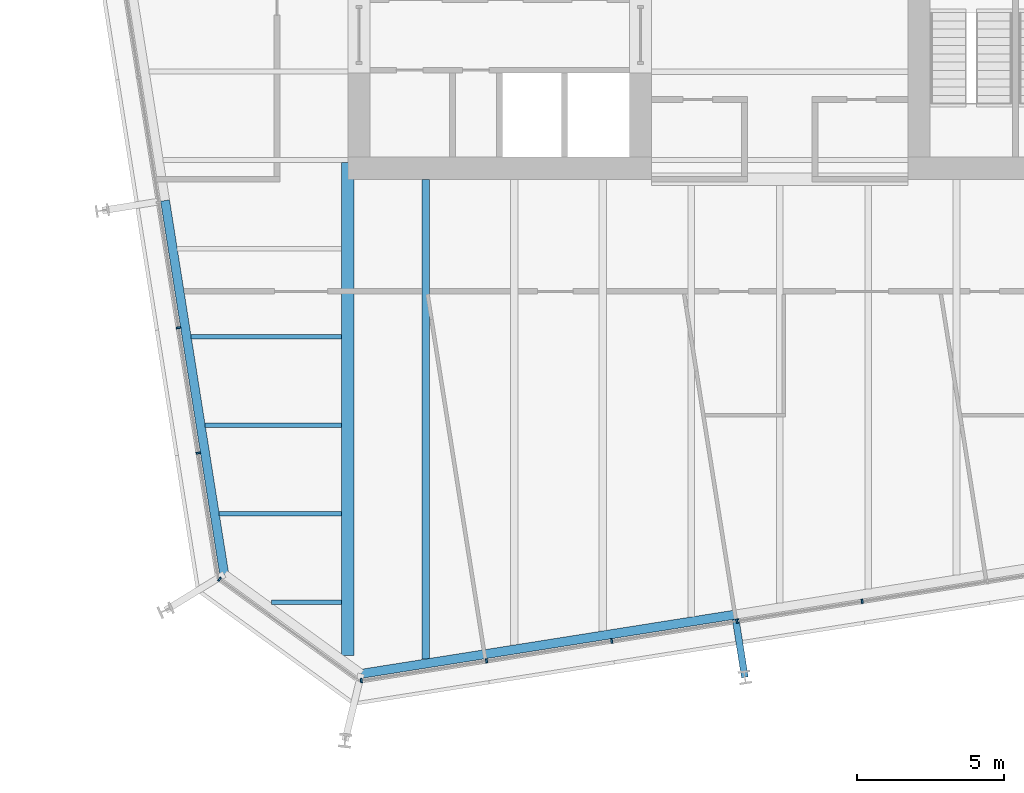
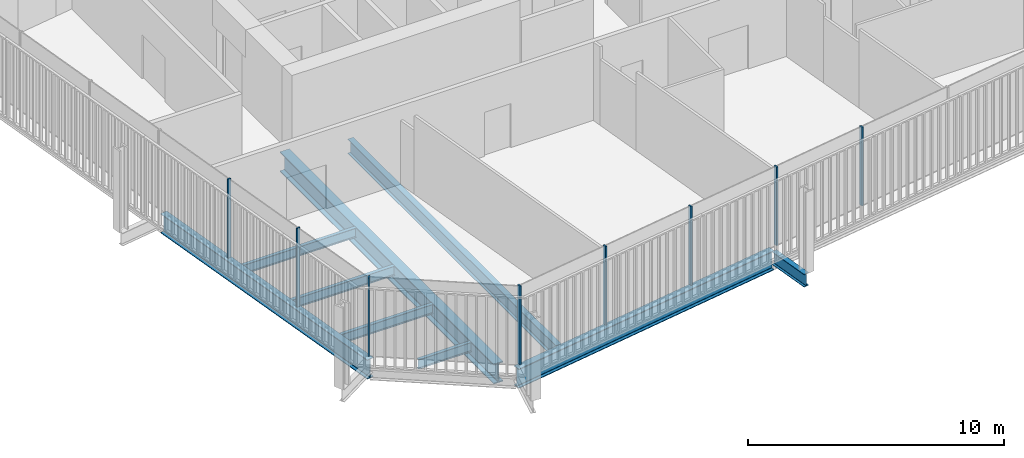
# One storey, part 2 of 21: 9 beams, 8 members, 3 elements without a shape of their own.
"""IFC4 building model written with IfcOpenShell, lengths in metres."""

from ifc_helpers import new_model, si_unit, direction, frame, origin, origin_2d, place, context, subcontext, project, spatial, rectangle, i_section, extrude, material, layer, layer_set, material_profile, profile_set, type_object, element, aggregate, save


model = new_model("IFC4")

# Units and contexts
model_context = context("Model", 3, precision=1e-05, world=origin(), true_north=direction((0.0, 1.0)))
body_context = subcontext(model_context, "Body", "Model", "MODEL_VIEW")
ifc_project = project(units=[si_unit("LENGTHUNIT", "METRE"), si_unit("AREAUNIT", "SQUARE_METRE"), si_unit("VOLUMEUNIT", "CUBIC_METRE"), si_unit("PLANEANGLEUNIT", "RADIAN"), si_unit("MASSUNIT", "GRAM", prefix="KILO")], contexts=[model_context])

# Site, building, storey
site_placement = place(None, origin())
site = spatial("IfcSite", under=ifc_project, at=site_placement, CompositionType="ELEMENT")
building_placement = place(site_placement, origin())
building = spatial("IfcBuilding", under=site, at=building_placement, Name="Millrace Tower", CompositionType="ELEMENT")
storey_placement = place(building_placement, frame((0.0, 0.0, 141.199951171875)))
storey = spatial("IfcBuildingStorey", under=building, at=storey_placement, Name="L31", CompositionType="ELEMENT", Elevation=141.199951171875)

# Curtain wall, member
ifc_material_1 = material(Name="Aluminium and glass", Category="aluminium")
ifc_layer = layer(ifc_material_1, 0.14990234375)
ifc_layer_set = layer_set([ifc_layer], Name="Aluminium and glass")
curtain_wall_type = type_object("IfcCurtainWallType", Name="CW-1 office vision curtain wall", PredefinedType="NOTDEFINED", material=ifc_layer_set)
placement = place(storey_placement, origin())
curtain_wall_1 = element("IfcCurtainWall", 1, at=placement, inside=storey, type_object=curtain_wall_type, Name="Curtain wall C-F01 L31", PredefinedType="NOTDEFINED")
ifc_material_2 = material(Name="Aluminium", Category="aluminium")
ifc_material_profile_1 = material_profile(ifc_material_2, rectangle(XDim=0.06494140625, YDim=0.14990234375, at=origin_2d()))
ifc_profile_set_1 = profile_set([ifc_material_profile_1], Name="Aluminium")
member_type = type_object("IfcMemberType", Name="CW-1 office vision curtain wall mullion", PredefinedType="MULLION", material=ifc_profile_set_1)
member_1_placement = place(storey_placement, frame((-19.00146484375, -23.2177734375, 0.14013671875), z_axis=(0.0, 0.0, 1.0), x_axis=(0.809016981623, -0.587785269844, 0.0)))
member_1 = element("IfcMember", 2, at=member_1_placement, type_object=member_type, Name="CW1 mullion C-F01.1", PredefinedType="MULLION", context=body_context, shape_type="SweptSolid", body=[
    extrude(rectangle(XDim=0.06494140625, YDim=0.14990234375, at=origin_2d()), origin(), (0.0, 0.0, 1.0), 3.760009765625),
])
aggregate(curtain_wall_1, [member_1])

# Curtain wall, members
curtain_wall_2 = element("IfcCurtainWall", 3, at=placement, inside=storey, type_object=curtain_wall_type, Name="Curtain wall C-F02 L31", PredefinedType="NOTDEFINED")
member_2_placement = place(storey_placement, frame((-14.191650390625, -26.65673828125, 0.14013671875), z_axis=(0.0, 0.0, 1.0), x_axis=(0.98768833929, 0.15643447328, 0.0)))
member_2 = element("IfcMember", 4, at=member_2_placement, type_object=member_type, Name="CW1 mullion C-F02.1", PredefinedType="MULLION", context=body_context, shape_type="SweptSolid", body=[
    extrude(rectangle(XDim=0.06494140625, YDim=0.14990234375, at=origin_2d()), origin(), (0.0, 0.0, 1.0), 3.760009765625),
])
member_3_placement = place(storey_placement, frame((-9.944580078125, -25.98388671875, 0.14013671875), z_axis=(0.0, 0.0, 1.0), x_axis=(0.98768833929, 0.15643447328, 0.0)))
member_3 = element("IfcMember", 5, at=member_3_placement, type_object=member_type, Name="CW1 mullion C-F02.2", PredefinedType="MULLION", context=body_context, shape_type="SweptSolid", body=[
    extrude(rectangle(XDim=0.06494140625, YDim=0.14990234375, at=origin_2d()), origin(), (0.0, 0.0, 1.0), 3.760009765625),
])
member_4_placement = place(storey_placement, frame((-5.697509765625, -25.311279296875, 0.14013671875), z_axis=(0.0, 0.0, 1.0), x_axis=(0.98768833929, 0.15643447328, 0.0)))
member_4 = element("IfcMember", 6, at=member_4_placement, type_object=member_type, Name="CW1 mullion C-F02.3", PredefinedType="MULLION", context=body_context, shape_type="SweptSolid", body=[
    extrude(rectangle(XDim=0.06494140625, YDim=0.14990234375, at=origin_2d()), origin(), (0.0, 0.0, 1.0), 3.760009765625),
])
member_5_placement = place(storey_placement, frame((-1.450439453125, -24.638671875, 0.14013671875), z_axis=(0.0, 0.0, 1.0), x_axis=(0.98768833929, 0.15643447328, 0.0)))
member_5 = element("IfcMember", 7, at=member_5_placement, type_object=member_type, Name="CW1 mullion C-F02.4", PredefinedType="MULLION", context=body_context, shape_type="SweptSolid", body=[
    extrude(rectangle(XDim=0.06494140625, YDim=0.14990234375, at=origin_2d()), origin(), (0.0, 0.0, 1.0), 3.760009765625),
])
member_6_placement = place(storey_placement, frame((2.796630859375, -23.966064453125, 0.14013671875), z_axis=(0.0, 0.0, 1.0), x_axis=(0.98768833929, 0.15643447328, 0.0)))
member_6 = element("IfcMember", 8, at=member_6_placement, type_object=member_type, Name="CW1 mullion C-F02.5", PredefinedType="MULLION", context=body_context, shape_type="SweptSolid", body=[
    extrude(rectangle(XDim=0.06494140625, YDim=0.14990234375, at=origin_2d()), origin(), (0.0, 0.0, 1.0), 3.760009765625),
])
aggregate(curtain_wall_2, [member_2, member_3, member_4, member_5, member_6])

curtain_wall_3 = element("IfcCurtainWall", 9, at=placement, inside=storey, type_object=curtain_wall_type, Name="Curtain wall C-F08 L31", PredefinedType="NOTDEFINED")
member_7_placement = place(storey_placement, frame((-20.39794921875, -14.687744140625, 0.14013671875), z_axis=(0.0, 0.0, 1.0), x_axis=(0.15643447328, -0.98768833929, 0.0)))
member_7 = element("IfcMember", 10, at=member_7_placement, type_object=member_type, Name="CW1 mullion C-F08.8", PredefinedType="MULLION", context=body_context, shape_type="SweptSolid", body=[
    extrude(rectangle(XDim=0.06494140625, YDim=0.14990234375, at=origin_2d()), origin(), (0.0, 0.0, 1.0), 3.760009765625),
])
member_8_placement = place(storey_placement, frame((-19.725341796875, -18.934814453125, 0.14013671875), z_axis=(0.0, 0.0, 1.0), x_axis=(0.15643447328, -0.98768833929, 0.0)))
member_8 = element("IfcMember", 11, at=member_8_placement, type_object=member_type, Name="CW1 mullion C-F08.9", PredefinedType="MULLION", context=body_context, shape_type="SweptSolid", body=[
    extrude(rectangle(XDim=0.06494140625, YDim=0.14990234375, at=origin_2d()), origin(), (0.0, 0.0, 1.0), 3.760009765625),
])
aggregate(curtain_wall_3, [member_7, member_8])

# Beams
ifc_material_3 = material(Name="Steel ASTM A992 Grade 50", Category="steel")
ifc_material_profile_2 = material_profile(ifc_material_3, i_section(OverallWidth=0.15234375, OverallDepth=0.449462890625, WebThickness=0.007568359375, FlangeThickness=0.0107421875, FilletRadius=0.01025390625, at=origin_2d()))
ifc_profile_set_2 = profile_set([ifc_material_profile_2], Name="Steel ASTM A992 Grade 50")
beam_type_1 = type_object("IfcBeamType", Name="Floor beam W18x35", PredefinedType="JOIST", material=ifc_profile_set_2)
beam_1_placement = place(storey_placement, frame((-19.01123046875, -21.0, -0.384765625), z_axis=(1.0, 0.0, 0.0), x_axis=(0.0, 1.0, 0.0)))
element("IfcBeam", 12, at=beam_1_placement, inside=storey, type_object=beam_type_1, Name="BM-C-L31-S1-S002", PredefinedType="JOIST", context=body_context, shape_type="SweptSolid", body=[
    extrude(i_section(OverallWidth=0.15234375, OverallDepth=0.449462890625, WebThickness=0.007568359375, FlangeThickness=0.0107421875, FilletRadius=0.01025390625, at=origin_2d()), origin(), (0.0, 0.0, 1.0), 4.151611328125),
])
beam_2_placement = place(storey_placement, frame((-19.486328125, -18.0, -0.384765625), z_axis=(1.0, 0.0, 0.0), x_axis=(0.0, 1.0, 0.0)))
element("IfcBeam", 13, at=beam_2_placement, inside=storey, type_object=beam_type_1, Name="BM-C-L31-S1-S004", PredefinedType="JOIST", context=body_context, shape_type="SweptSolid", body=[
    extrude(i_section(OverallWidth=0.15234375, OverallDepth=0.449462890625, WebThickness=0.007568359375, FlangeThickness=0.0107421875, FilletRadius=0.01025390625, at=origin_2d()), origin(), (0.0, 0.0, 1.0), 4.626708984375),
])
beam_3_placement = place(storey_placement, frame((-19.96142578125, -15.0, -0.384765625), z_axis=(1.0, 0.0, 0.0), x_axis=(0.0, 1.0, 0.0)))
element("IfcBeam", 14, at=beam_3_placement, inside=storey, type_object=beam_type_1, Name="BM-C-L31-S1-S006", PredefinedType="JOIST", context=body_context, shape_type="SweptSolid", body=[
    extrude(i_section(OverallWidth=0.15234375, OverallDepth=0.449462890625, WebThickness=0.007568359375, FlangeThickness=0.0107421875, FilletRadius=0.01025390625, at=origin_2d()), origin(), (0.0, 0.0, 1.0), 5.101806640625),
])
beam_4_placement = place(storey_placement, frame((-17.246337890625, -24.0, -0.384765625), z_axis=(1.0, 0.0, 0.0), x_axis=(0.0, 1.0, 0.0)))
element("IfcBeam", 15, at=beam_4_placement, inside=storey, type_object=beam_type_1, Name="BM-C-L31-S1-S001", PredefinedType="JOIST", context=body_context, shape_type="SweptSolid", body=[
    extrude(i_section(OverallWidth=0.15234375, OverallDepth=0.449462890625, WebThickness=0.007568359375, FlangeThickness=0.0107421875, FilletRadius=0.01025390625, at=origin_2d()), origin(), (0.0, 0.0, 1.0), 2.38671875),
])
ifc_material_4 = material(Name="Steel ASTM A992 Grade 50", Category="steel")
ifc_material_profile_3 = material_profile(ifc_material_4, i_section(OverallWidth=0.256591796875, OverallDepth=0.693359375, WebThickness=0.014404296875, FlangeThickness=0.023681640625, FilletRadius=0.01513671875, at=origin_2d()))
ifc_profile_set_3 = profile_set([ifc_material_profile_3], Name="Steel ASTM A992 Grade 50")
beam_type_2 = type_object("IfcBeamType", Name="Floor beam W27x114", PredefinedType="JOIST", material=ifc_profile_set_3)
beam_5_placement = place(storey_placement, frame((-12.0, -25.92236328125, -0.506591796875), z_axis=(0.0, 1.0, 0.0), x_axis=(-1.0, 0.0, 0.0)))
element("IfcBeam", 16, at=beam_5_placement, inside=storey, type_object=beam_type_2, Name="BM-C-L31-S1-S040", PredefinedType="JOIST", context=body_context, shape_type="SweptSolid", body=[
    extrude(i_section(OverallWidth=0.256591796875, OverallDepth=0.693359375, WebThickness=0.014404296875, FlangeThickness=0.023681640625, FilletRadius=0.01513671875, at=origin_2d()), origin(), (0.0, 0.0, 1.0), 16.2724609375),
])
ifc_material_5 = material(Name="Steel ASTM A992 Grade 50", Category="steel")
ifc_material_profile_4 = material_profile(ifc_material_5, i_section(OverallWidth=0.424072265625, OverallDepth=0.947509765625, WebThickness=0.02392578125, FlangeThickness=0.042724609375, FilletRadius=0.024169921875, at=origin_2d()))
ifc_profile_set_4 = profile_set([ifc_material_profile_4], Name="Steel ASTM A992 Grade 50")
beam_type_3 = type_object("IfcBeamType", Name="Girder medium span W36x302", PredefinedType="BEAM", material=ifc_profile_set_4)
beam_6_placement = place(storey_placement, frame((-14.64990234375, -25.806640625, -0.633544921875), z_axis=(0.0, 1.0, 0.0), x_axis=(-1.0, 0.0, 0.0)))
element("IfcBeam", 17, at=beam_6_placement, inside=storey, type_object=beam_type_3, Name="BM-C-L31-S1-G058", PredefinedType="BEAM", context=body_context, shape_type="SweptSolid", body=[
    extrude(i_section(OverallWidth=0.424072265625, OverallDepth=0.947509765625, WebThickness=0.02392578125, FlangeThickness=0.042724609375, FilletRadius=0.024169921875, at=origin_2d()), origin(), (0.0, 0.0, 1.0), 16.720703125),
])
ifc_material_6 = material(Name="Steel ASTM A992 Grade 50", Category="steel")
ifc_material_profile_5 = material_profile(ifc_material_6, i_section(OverallWidth=0.23046875, OverallDepth=0.6171875, WebThickness=0.01318359375, FlangeThickness=0.022216796875, FilletRadius=0.012939453125, at=origin_2d()))
ifc_profile_set_5 = profile_set([ifc_material_profile_5], Name="Steel ASTM A992 Grade 50")
beam_type_4 = type_object("IfcBeamType", Name="Link beam W24x94", PredefinedType="BEAM", material=ifc_profile_set_5)
beam_7_placement = place(storey_placement, frame((-1.494384765625, -24.569580078125, -0.468505859375), z_axis=(0.156476509441, -0.987681680499, 0.0), x_axis=(0.987681680499, 0.156476509441, 0.0)))
element("IfcBeam", 18, at=beam_7_placement, inside=storey, type_object=beam_type_4, Name="LNK-C-L31-S1-15", PredefinedType="BEAM", context=body_context, shape_type="SweptSolid", body=[
    extrude(i_section(OverallWidth=0.23046875, OverallDepth=0.6171875, WebThickness=0.01318359375, FlangeThickness=0.022216796875, FilletRadius=0.012939453125, at=origin_2d()), origin(), (0.0, 0.0, 1.0), 2.000244140625),
])
ifc_material_7 = material(Name="Steel ASTM A992 Grade 50", Category="steel")
ifc_material_profile_6 = material_profile(ifc_material_7, i_section(OverallWidth=0.307373046875, OverallDepth=0.927001953125, WebThickness=0.01953125, FlangeThickness=0.031982421875, FilletRadius=0.01904296875, at=origin_2d()))
ifc_profile_set_6 = profile_set([ifc_material_profile_6], Name="Steel ASTM A992 Grade 50")
beam_type_5 = type_object("IfcBeamType", Name="Ring beam medium span W36x194", PredefinedType="SPANDREL", material=ifc_profile_set_6)
beam_8_placement = place(storey_placement, frame((-18.841796875, -23.051025390625, -0.62353515625), z_axis=(-0.156436246498, 0.987688058438, 0.0), x_axis=(-0.987688058438, -0.156436246498, 0.0)))
element("IfcBeam", 19, at=beam_8_placement, inside=storey, type_object=beam_type_5, Name="RNG-C-L31-S1-01", PredefinedType="SPANDREL", context=body_context, shape_type="SweptSolid", body=[
    extrude(i_section(OverallWidth=0.307373046875, OverallDepth=0.927001953125, WebThickness=0.01953125, FlangeThickness=0.031982421875, FilletRadius=0.01904296875, at=origin_2d()), origin(), (0.0, 0.0, 1.0), 12.836181640625),
])
beam_9_placement = place(storey_placement, frame((-1.518310546875, -24.41796875, -0.62353515625), z_axis=(-0.987688523879, -0.15643330783, 0.0), x_axis=(0.15643330783, -0.987688523879, 0.0)))
element("IfcBeam", 20, at=beam_9_placement, inside=storey, type_object=beam_type_5, Name="RNG-C-L31-S1-15", PredefinedType="SPANDREL", context=body_context, shape_type="SweptSolid", body=[
    extrude(i_section(OverallWidth=0.307373046875, OverallDepth=0.927001953125, WebThickness=0.01953125, FlangeThickness=0.031982421875, FilletRadius=0.01904296875, at=origin_2d()), origin(), (0.0, 0.0, 1.0), 12.83642578125),
])

save(model, "model.ifc")
